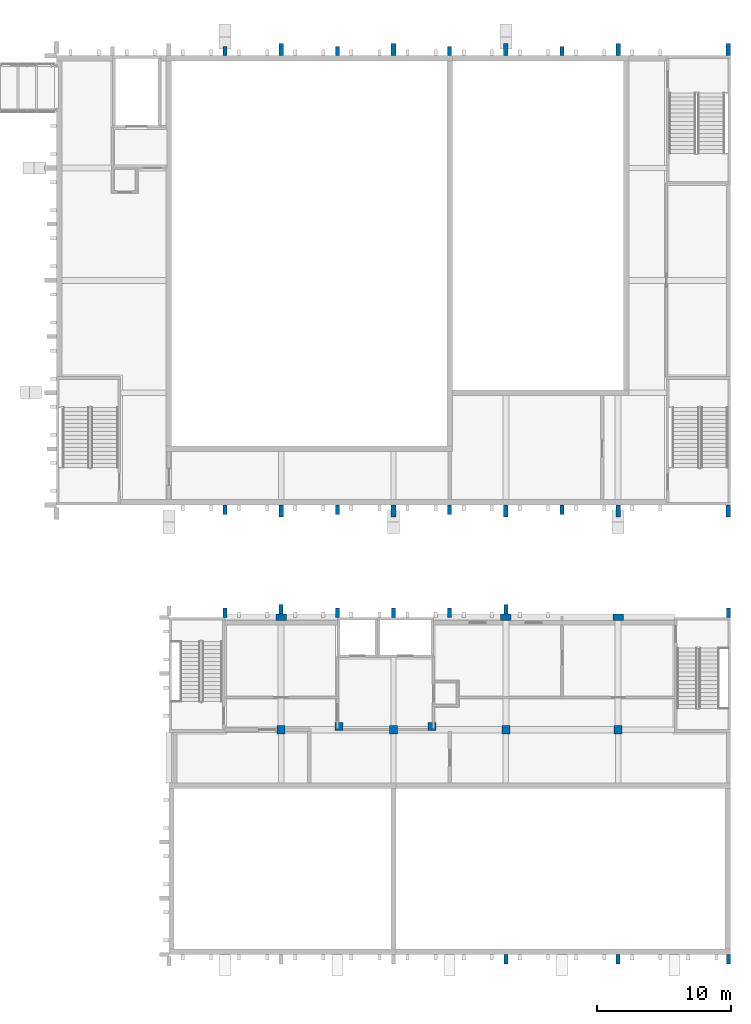
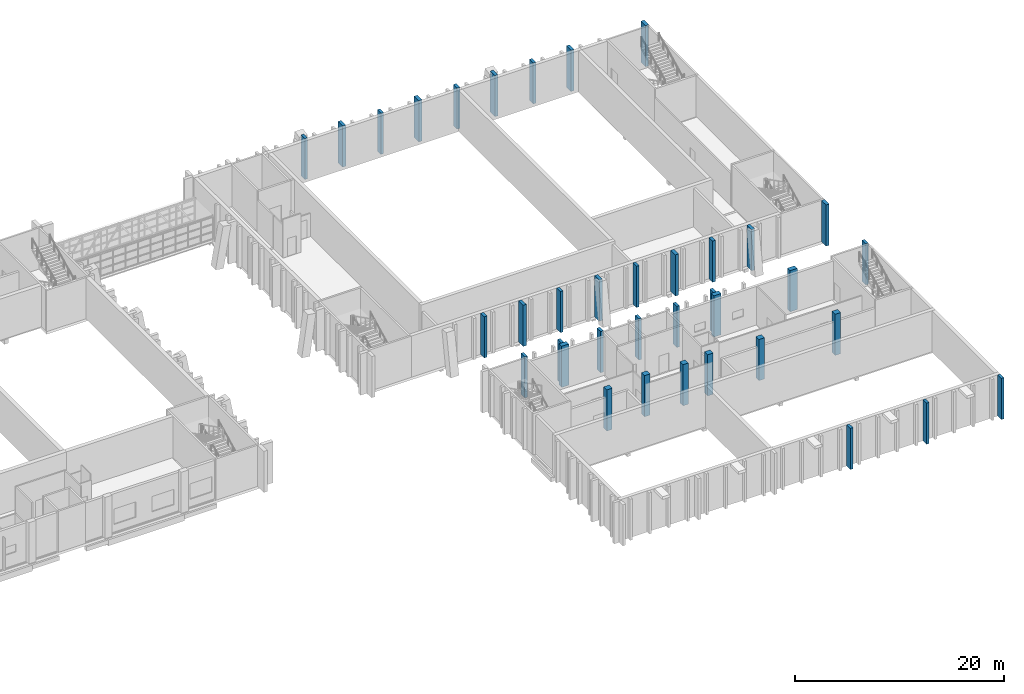
# One storey, part 2 of 91: 37 columns.
"""IFC4 building model written with IfcOpenShell, lengths in metres."""

from ifc_helpers import new_model, si_unit, direction, frame, origin, origin_2d, place, context, subcontext, project, spatial, rectangle, extrude, material, material_profile, profile_set, type_object, element, save


model = new_model("IFC4")

# Units and contexts
model_context = context("Model", 3, precision=1e-05, world=origin(), true_north=direction((0.0, 1.0)))
body_context = subcontext(model_context, "Body", "Model", "MODEL_VIEW")
ifc_project = project(units=[si_unit("LENGTHUNIT", "METRE"), si_unit("AREAUNIT", "SQUARE_METRE"), si_unit("VOLUMEUNIT", "CUBIC_METRE"), si_unit("PLANEANGLEUNIT", "RADIAN"), si_unit("MASSUNIT", "GRAM", prefix="KILO")], contexts=[model_context])

# Site, building, storey
site_placement = place(None, origin())
site = spatial("IfcSite", under=ifc_project, at=site_placement, CompositionType="ELEMENT")
building_placement = place(site_placement, origin())
building = spatial("IfcBuilding", under=site, at=building_placement, Name="Kiln Court Media Centre", CompositionType="ELEMENT")
storey_placement = place(building_placement, frame((0.0, 0.0, 5.39990234375)))
storey = spatial("IfcBuildingStorey", under=building, at=storey_placement, Name="L01", CompositionType="ELEMENT", Elevation=5.39990234375)

# Columns
ifc_material_1 = material(Name="Concrete C40/50", Category="concrete")
ifc_material_profile_1 = material_profile(ifc_material_1, rectangle(XDim=0.60009765625, YDim=0.60009765625, at=origin_2d()), Name="RC 600x600")
ifc_profile_set_1 = profile_set([ifc_material_profile_1], Name="Concrete C40/50")
column_type_1 = type_object("IfcColumnType", Name="Concrete C40/50 column 600x600", PredefinedType="COLUMN", material=ifc_profile_set_1)
for number, where, z_axis, x_axis, name in (
    (1, (134.39990234375, 16.800048828125, 0.0), (0.0, 0.0, 1.0), (1.0, 0.0, 0.0), "L01-C-1041"),
    (2, (142.800048828125, 16.800048828125, 0.0), (0.0, 0.0, 1.0), (1.0, 0.0, 0.0), "L01-C-1043"),
    (3, (151.199951171875, 16.800048828125, 0.0), (0.0, 0.0, 1.0), (1.0, 0.0, 0.0), "L01-C-1044"),
    (4, (159.60009765625, 16.800048828125, 0.0), (0.0, 0.0, 1.0), (1.0, 0.0, 0.0), "L01-C-1046"),
    (5, (138.72509765625, 17.050048828125, 0.0), (0.0, 0.0, 1.0), (1.0, 0.0, 0.0), "L01-C-1076"),
    (6, (145.675048828125, 17.050048828125, 0.0), (0.0, 0.0, 1.0), (1.0, 0.0, 0.0), "L01-C-1077"),
):
    element("IfcColumn", number, at=place(storey_placement, frame(where, z_axis=z_axis, x_axis=x_axis)), inside=storey, type_object=column_type_1, Name=name, PredefinedType="COLUMN", context=body_context, shape_type="SweptSolid", body=[
        extrude(rectangle(XDim=0.60009765625, YDim=0.60009765625, at=origin_2d()), origin(), (0.0, 0.0, 1.0), 4.800048828125),
    ])
ifc_material_2 = material(Name="Concrete C40/50", Category="concrete")
ifc_material_profile_2 = material_profile(ifc_material_2, rectangle(XDim=0.800048828125, YDim=0.5, at=origin_2d()), Name="RC 800x500")
ifc_profile_set_2 = profile_set([ifc_material_profile_2], Name="Concrete C40/50")
column_type_2 = type_object("IfcColumnType", Name="Concrete C40/50 column 800x500", PredefinedType="COLUMN", material=ifc_profile_set_2)
for number, where, z_axis, x_axis, name in (
    (7, (134.39990234375, 25.199951171875, 0.0), (0.0, 0.0, 1.0), (1.0, 0.0, 0.0), "L01-C-1042"),
    (8, (151.199951171875, 25.199951171875, 0.0), (0.0, 0.0, 1.0), (1.0, 0.0, 0.0), "L01-C-1045"),
    (9, (159.60009765625, 25.199951171875, 0.0), (0.0, 0.0, 1.0), (1.0, 0.0, 0.0), "L01-C-1047"),
):
    element("IfcColumn", number, at=place(storey_placement, frame(where, z_axis=z_axis, x_axis=x_axis)), inside=storey, type_object=column_type_2, Name=name, PredefinedType="COLUMN", context=body_context, shape_type="SweptSolid", body=[
        extrude(rectangle(XDim=0.800048828125, YDim=0.5, at=origin_2d()), origin(), (0.0, 0.0, 1.0), 4.800048828125),
    ])
ifc_material_3 = material(Name="Concrete C40/50", Category="concrete")
ifc_material_profile_3 = material_profile(ifc_material_3, rectangle(XDim=0.300048828125, YDim=0.699951171875, at=origin_2d()), Name="RC 300x700")
ifc_profile_set_3 = profile_set([ifc_material_profile_3], Name="Concrete C40/50")
column_type_3 = type_object("IfcColumnType", Name="Concrete C40/50 pilaster rib 300x700", PredefinedType="PILASTER", material=ifc_profile_set_3)
for number, where, z_axis, x_axis, name in (
    (10, (130.199951171875, 33.25, 0.0), (0.0, 0.0, 1.0), (1.0, 0.0, 0.0), "V2 S rib L01"),
    (11, (138.60009765625, 33.25, 0.0), (0.0, 0.0, 1.0), (1.0, 0.0, 0.0), "V2 S rib L01"),
    (12, (147.0, 33.25, 0.0), (0.0, 0.0, 1.0), (1.0, 0.0, 0.0), "V2 S rib L01"),
    (13, (155.39990234375, 33.25, 0.0), (0.0, 0.0, 1.0), (1.0, 0.0, 0.0), "V2 S rib L01"),
    (14, (130.199951171875, 67.550048828125, 0.0), (0.0, 0.0, 1.0), (1.0, 0.0, 0.0), "V2 N rib L01"),
    (15, (138.60009765625, 67.550048828125, 0.0), (0.0, 0.0, 1.0), (1.0, 0.0, 0.0), "V2 N rib L01"),
    (16, (147.0, 67.550048828125, 0.0), (0.0, 0.0, 1.0), (1.0, 0.0, 0.0), "V2 N rib L01"),
    (17, (155.39990234375, 67.550048828125, 0.0), (0.0, 0.0, 1.0), (1.0, 0.0, 0.0), "V2 N rib L01"),
    (18, (151.199951171875, -0.35009765625, 0.0), (0.0, 0.0, 1.0), (1.0, 0.0, 0.0), "V5 S rib L01"),
    (19, (159.60009765625, -0.35009765625, 0.0), (0.0, 0.0, 1.0), (1.0, 0.0, 0.0), "V5 S rib L01"),
    (20, (167.849853515625, -0.35009765625, 0.0), (0.0, 0.0, 1.0), (1.0, 0.0, 0.0), "V5 S rib L01"),
    (21, (130.199951171875, 25.550048828125, 0.0), (0.0, 0.0, 1.0), (1.0, 0.0, 0.0), "V5 N rib L01"),
    (22, (134.39990234375, 25.800048828125, 0.0), (0.0, 0.0, 1.0), (1.0, 0.0, 0.0), "V5 N rib L01"),
    (23, (138.60009765625, 25.550048828125, 0.0), (0.0, 0.0, 1.0), (1.0, 0.0, 0.0), "V5 N rib L01"),
    (24, (142.800048828125, 25.550048828125, 0.0), (0.0, 0.0, 1.0), (1.0, 0.0, 0.0), "V5 N rib L01"),
    (25, (147.0, 25.550048828125, 0.0), (0.0, 0.0, 1.0), (1.0, 0.0, 0.0), "V5 N rib L01"),
    (26, (151.199951171875, 25.800048828125, 0.0), (0.0, 0.0, 1.0), (1.0, 0.0, 0.0), "V5 N rib L01"),
    (27, (167.849853515625, 25.550048828125, 0.0), (0.0, 0.0, 1.0), (1.0, 0.0, 0.0), "V5 N rib L01"),
):
    element("IfcColumn", number, at=place(storey_placement, frame(where, z_axis=z_axis, x_axis=x_axis)), inside=storey, type_object=column_type_3, Name=name, PredefinedType="PILASTER", context=body_context, shape_type="SweptSolid", body=[
        extrude(rectangle(XDim=0.300048828125, YDim=0.699951171875, at=origin_2d()), origin(), (0.0, 0.0, 1.0), 4.800048828125),
    ])
ifc_material_4 = material(Name="Concrete C40/50", Category="concrete")
ifc_material_profile_4 = material_profile(ifc_material_4, rectangle(XDim=0.35009765625, YDim=0.89990234375, at=origin_2d()), Name="RC 350x900")
ifc_profile_set_4 = profile_set([ifc_material_profile_4], Name="Concrete C40/50")
column_type_4 = type_object("IfcColumnType", Name="Concrete C40/50 pilaster rib 350x900", PredefinedType="PILASTER", material=ifc_profile_set_4)
for number, where, z_axis, x_axis, name in (
    (28, (134.39990234375, 33.14990234375, 0.0), (0.0, 0.0, 1.0), (1.0, 0.0, 0.0), "V2 S rib L01"),
    (29, (142.800048828125, 33.14990234375, 0.0), (0.0, 0.0, 1.0), (1.0, 0.0, 0.0), "V2 S rib L01"),
    (30, (151.199951171875, 33.14990234375, 0.0), (0.0, 0.0, 1.0), (1.0, 0.0, 0.0), "V2 S rib L01"),
    (31, (159.60009765625, 33.14990234375, 0.0), (0.0, 0.0, 1.0), (1.0, 0.0, 0.0), "V2 S rib L01"),
    (32, (167.824951171875, 33.14990234375, 0.0), (0.0, 0.0, 1.0), (1.0, 0.0, 0.0), "V2 S rib L01"),
    (33, (134.39990234375, 67.64990234375, 0.0), (0.0, 0.0, 1.0), (1.0, 0.0, 0.0), "V2 N rib L01"),
    (34, (142.800048828125, 67.64990234375, 0.0), (0.0, 0.0, 1.0), (1.0, 0.0, 0.0), "V2 N rib L01"),
    (35, (151.199951171875, 67.64990234375, 0.0), (0.0, 0.0, 1.0), (1.0, 0.0, 0.0), "V2 N rib L01"),
    (36, (159.60009765625, 67.64990234375, 0.0), (0.0, 0.0, 1.0), (1.0, 0.0, 0.0), "V2 N rib L01"),
    (37, (167.824951171875, 67.64990234375, 0.0), (0.0, 0.0, 1.0), (1.0, 0.0, 0.0), "V2 N rib L01"),
):
    element("IfcColumn", number, at=place(storey_placement, frame(where, z_axis=z_axis, x_axis=x_axis)), inside=storey, type_object=column_type_4, Name=name, PredefinedType="PILASTER", context=body_context, shape_type="SweptSolid", body=[
        extrude(rectangle(XDim=0.35009765625, YDim=0.89990234375, at=origin_2d()), origin(), (0.0, 0.0, 1.0), 4.800048828125),
    ])

save(model, "model.ifc")
